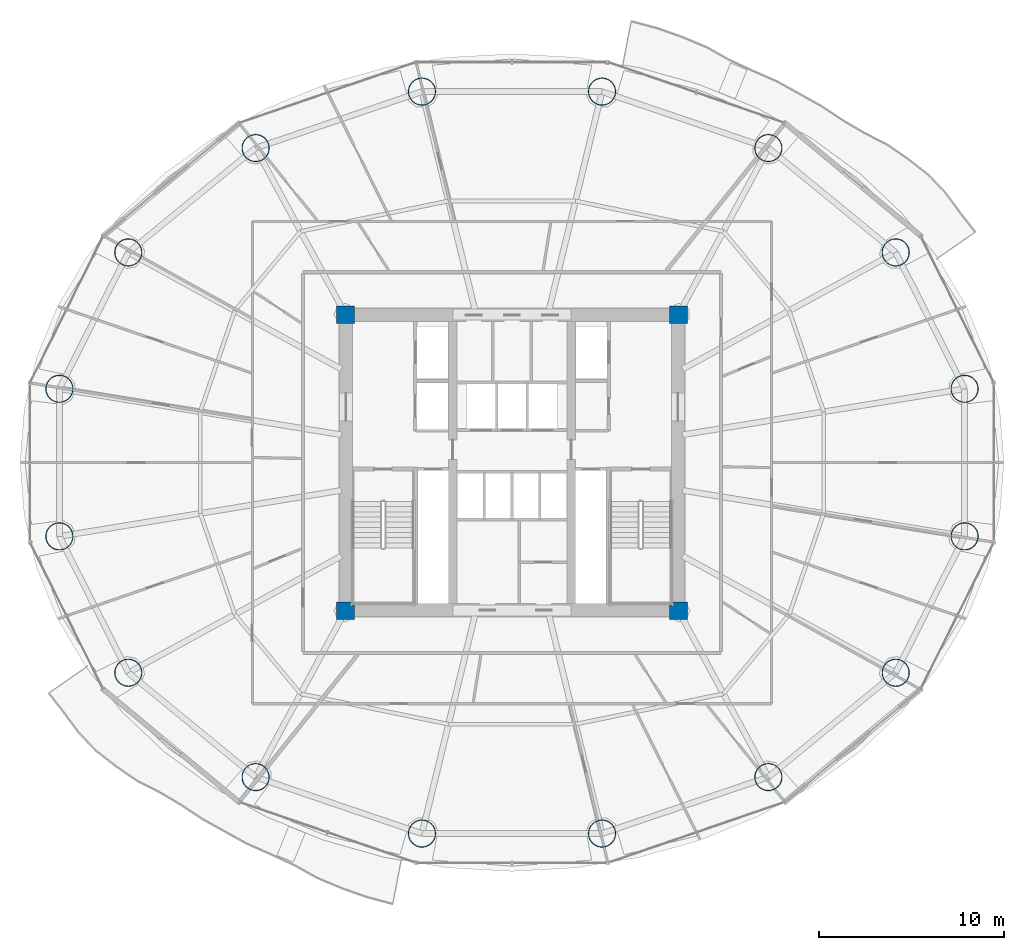
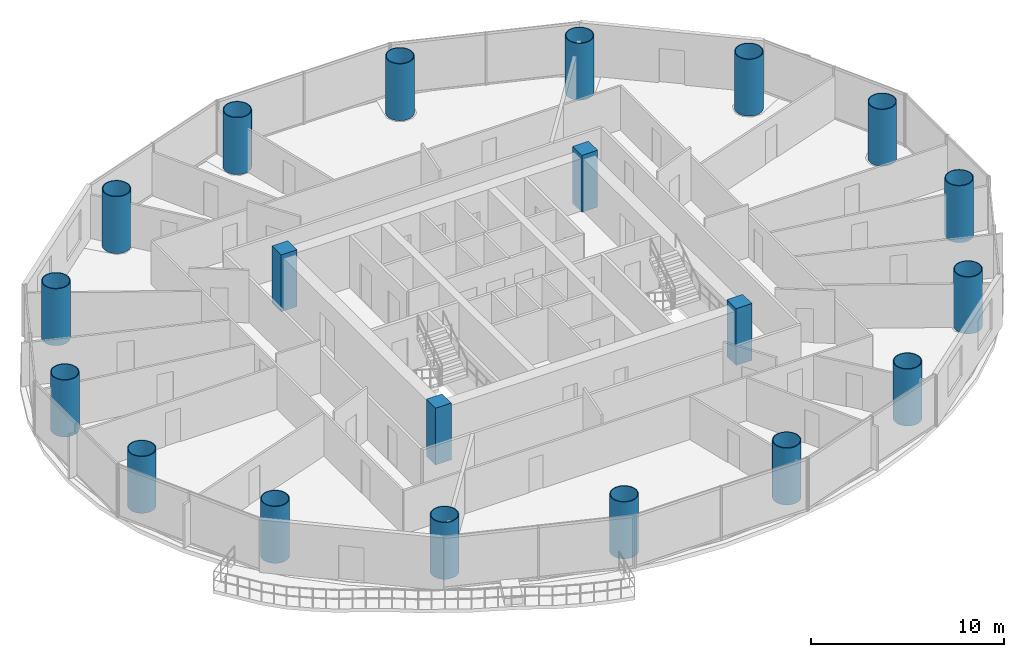
# One storey, part 1 of 29: 20 columns.
"""IFC4 building model written with IfcOpenShell, lengths in metres."""

from ifc_helpers import new_model, si_unit, direction, frame, origin, origin_2d, place, context, subcontext, project, spatial, rectangle, hollow_circle, extrude, material, material_profile, profile_set, type_object, element, save


model = new_model("IFC4")

# Units and contexts
model_context = context("Model", 3, precision=1e-05, world=origin(), true_north=direction((-0.2419218956, 0.970295726276)))
body_context = subcontext(model_context, "Body", "Model", "MODEL_VIEW")
ifc_project = project(units=[si_unit("LENGTHUNIT", "METRE"), si_unit("AREAUNIT", "SQUARE_METRE"), si_unit("VOLUMEUNIT", "CUBIC_METRE"), si_unit("PLANEANGLEUNIT", "RADIAN"), si_unit("MASSUNIT", "GRAM", prefix="KILO")], contexts=[model_context])

# Site, building, storey
site_placement = place(None, origin())
site = spatial("IfcSite", under=ifc_project, at=site_placement, CompositionType="ELEMENT")
building_placement = place(site_placement, origin())
building = spatial("IfcBuilding", under=site, at=building_placement, Name="Cobrevalo Terracotta Tower", CompositionType="ELEMENT")
storey_placement = place(building_placement, frame((0.0, 0.0, 119.39990234375)))
storey = spatial("IfcBuildingStorey", under=building, at=storey_placement, Name="L31", CompositionType="ELEMENT", Elevation=119.39990234375)

# Columns
ifc_material_1 = material(Name="Steel S355", Category="steel")
ifc_material_profile_1 = material_profile(ifc_material_1, hollow_circle(Radius=0.75, WallThickness=0.044921875, at=origin_2d()), Name="CHS 1500x45")
ifc_profile_set_1 = profile_set([ifc_material_profile_1], Name="Steel S355")
column_type_1 = type_object("IfcColumnType", Name="Structural Column CHS 1500x45 (Steel S355)", PredefinedType="COLUMN", material=ifc_profile_set_1)
for number, where, z_axis, x_axis, name in (
    (1, (62.470703125, 30.78955078125, 0.0), (0.0, 0.0, 1.0), (1.0, 0.0, 0.0), "L31 composite megacolumn MC01"),
    (2, (58.7451171875, 38.161376953125, 0.0), (0.0, 0.0, 1.0), (1.0, 0.0, 0.0), "L31 composite megacolumn MC02"),
    (3, (51.861572265625, 43.803466796875, 0.0), (0.0, 0.0, 1.0), (1.0, 0.0, 0.0), "L31 composite megacolumn MC03"),
    (4, (42.867431640625, 46.857177734375, 0.0), (0.0, 0.0, 1.0), (1.0, 0.0, 0.0), "L31 composite megacolumn MC04"),
    (5, (33.132568359375, 46.857177734375, 0.0), (0.0, 0.0, 1.0), (1.0, 0.0, 0.0), "L31 composite megacolumn MC05"),
    (6, (24.138427734375, 43.803466796875, 0.0), (0.0, 0.0, 1.0), (1.0, 0.0, 0.0), "L31 composite megacolumn MC06"),
    (7, (17.2548828125, 38.161376953125, 0.0), (0.0, 0.0, 1.0), (1.0, 0.0, 0.0), "L31 composite megacolumn MC07"),
    (8, (13.529296875, 30.78955078125, 0.0), (0.0, 0.0, 1.0), (1.0, 0.0, 0.0), "L31 composite megacolumn MC08"),
    (9, (13.529296875, 22.810302734375, 0.0), (0.0, 0.0, 1.0), (1.0, 0.0, 0.0), "L31 composite megacolumn MC09"),
    (10, (17.2548828125, 15.4384765625, 0.0), (0.0, 0.0, 1.0), (1.0, 0.0, 0.0), "L31 composite megacolumn MC10"),
    (11, (24.138427734375, 9.79638671875, 0.0), (0.0, 0.0, 1.0), (1.0, 0.0, 0.0), "L31 composite megacolumn MC11"),
    (12, (33.132568359375, 6.742919921875, 0.0), (0.0, 0.0, 1.0), (1.0, 0.0, 0.0), "L31 composite megacolumn MC12"),
    (13, (42.867431640625, 6.742919921875, 0.0), (0.0, 0.0, 1.0), (1.0, 0.0, 0.0), "L31 composite megacolumn MC13"),
    (14, (51.861572265625, 9.79638671875, 0.0), (0.0, 0.0, 1.0), (1.0, 0.0, 0.0), "L31 composite megacolumn MC14"),
    (15, (58.7451171875, 15.4384765625, 0.0), (0.0, 0.0, 1.0), (1.0, 0.0, 0.0), "L31 composite megacolumn MC15"),
    (16, (62.470703125, 22.810302734375, 0.0), (0.0, 0.0, 1.0), (1.0, 0.0, 0.0), "L31 composite megacolumn MC16"),
):
    element("IfcColumn", number, at=place(storey_placement, frame(where, z_axis=z_axis, x_axis=x_axis)), inside=storey, type_object=column_type_1, Name=name, PredefinedType="COLUMN", context=body_context, shape_type="SweptSolid", body=[
        extrude(hollow_circle(Radius=0.75, WallThickness=0.044921875, at=origin_2d()), origin(), (0.0, 0.0, 1.0), 3.60009765625),
    ])
ifc_material_2 = material(Name="Concrete C55", Category="concrete")
ifc_material_profile_2 = material_profile(ifc_material_2, rectangle(XDim=0.949951171875, YDim=0.949951171875, at=origin_2d()), Name="RC COL 950x950")
ifc_profile_set_2 = profile_set([ifc_material_profile_2], Name="Concrete C55")
column_type_2 = type_object("IfcColumnType", Name="Structural Column RC COL 950x950 (Concrete C55)", PredefinedType="COLUMN", material=ifc_profile_set_2)
for number, where, z_axis, x_axis, name in (
    (17, (29.0, 18.800048828125, 0.0), (0.0, 0.0, 1.0), (1.0, 0.0, 0.0), "L31 core corner column CC1"),
    (18, (47.0, 18.800048828125, 0.0), (0.0, 0.0, 1.0), (1.0, 0.0, 0.0), "L31 core corner column CC2"),
    (19, (47.0, 34.800048828125, 0.0), (0.0, 0.0, 1.0), (1.0, 0.0, 0.0), "L31 core corner column CC3"),
    (20, (29.0, 34.800048828125, 0.0), (0.0, 0.0, 1.0), (1.0, 0.0, 0.0), "L31 core corner column CC4"),
):
    element("IfcColumn", number, at=place(storey_placement, frame(where, z_axis=z_axis, x_axis=x_axis)), inside=storey, type_object=column_type_2, Name=name, PredefinedType="COLUMN", context=body_context, shape_type="SweptSolid", body=[
        extrude(rectangle(XDim=0.949951171875, YDim=0.949951171875, at=origin_2d()), origin(), (0.0, 0.0, 1.0), 3.60009765625),
    ])

save(model, "model.ifc")
